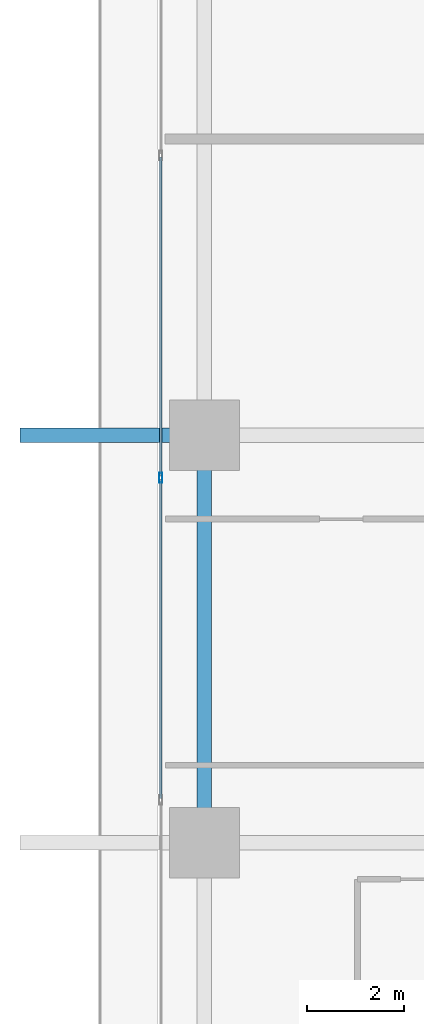
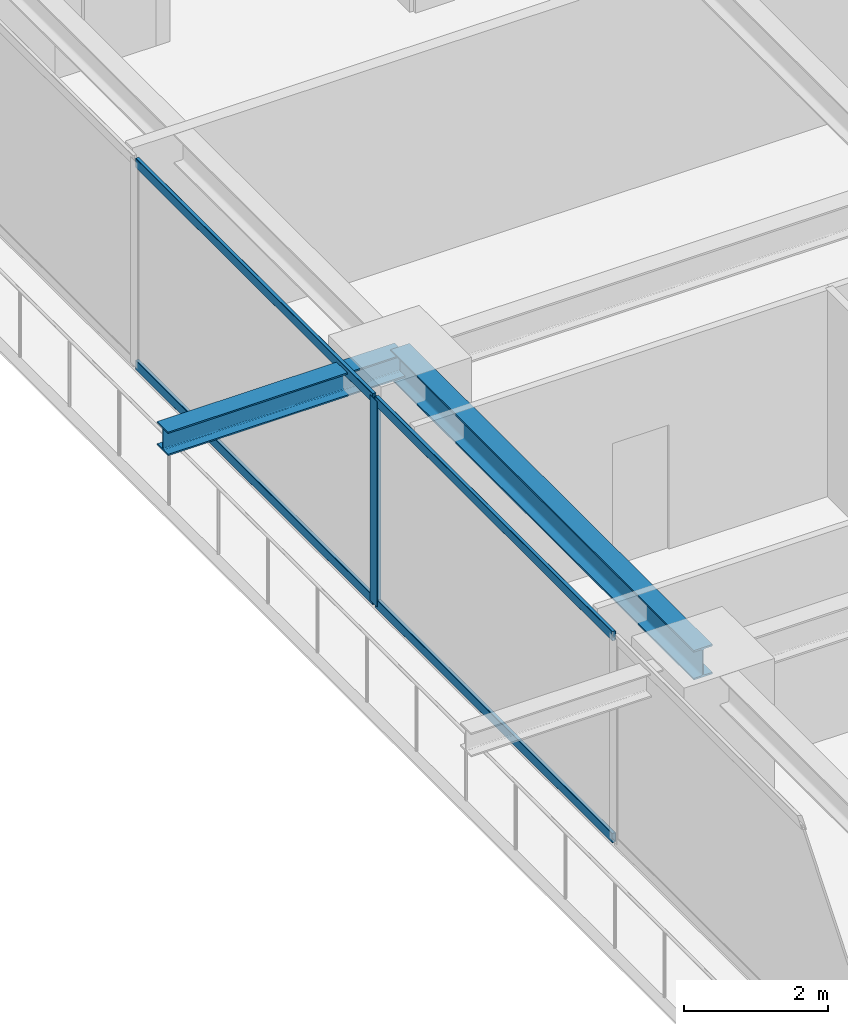
# One storey, part 8 of 39: 5 members, 2 beams, 1 element without a shape of its own.
"""IFC4 building model written with IfcOpenShell, lengths in metres."""

from ifc_helpers import new_model, si_unit, direction, frame, origin, origin_2d, place, context, subcontext, project, spatial, hollow_rectangle, i_section, extrude, source, transform, mapped, material, layer, layer_set, material_profile, profile_set, type_object, element, aggregate, save


model = new_model("IFC4")

# Units and contexts
model_context = context("Model", 3, precision=1e-05, world=origin(), true_north=direction((0.0, 1.0)))
body_context = subcontext(model_context, "Body", "Model", "MODEL_VIEW")
ifc_project = project(units=[si_unit("LENGTHUNIT", "METRE"), si_unit("AREAUNIT", "SQUARE_METRE"), si_unit("VOLUMEUNIT", "CUBIC_METRE"), si_unit("PLANEANGLEUNIT", "RADIAN"), si_unit("MASSUNIT", "GRAM", prefix="KILO")], contexts=[model_context])

# Site, building, storey
site_placement = place(None, origin())
site = spatial("IfcSite", under=ifc_project, at=site_placement, CompositionType="ELEMENT")
building_placement = place(site_placement, origin())
building = spatial("IfcBuilding", under=site, at=building_placement, Name="Serunith Strait Residences", CompositionType="ELEMENT")
storey_placement = place(building_placement, frame((0.0, 0.0, 97.949951171875)))
storey = spatial("IfcBuildingStorey", under=building, at=storey_placement, Name="L24", CompositionType="ELEMENT", Elevation=97.949951171875)

# Beams
ifc_material_1 = material(Name="Steel S355J2", Category="steel")
ifc_material_profile_1 = material_profile(ifc_material_1, i_section(OverallWidth=0.300048828125, OverallDepth=0.5, WebThickness=0.014404296875, FlangeThickness=0.028076171875, FilletRadius=0.027099609375, at=origin_2d()), Name="HEB 500")
ifc_profile_set_1 = profile_set([ifc_material_profile_1], Name="Steel S355J2")
beam_type_1 = type_object("IfcBeamType", Name="BM-HEB500", PredefinedType="BEAM", material=ifc_profile_set_1)
shared_shape_1 = source(origin(), body_context, "Body", "SweptSolid", [
    extrude(i_section(OverallWidth=0.300048828125, OverallDepth=0.5, WebThickness=0.014404296875, FlangeThickness=0.028076171875, FilletRadius=0.027099609375, at=origin_2d()), origin(), (0.0, 0.0, 1.0), 8.39990234375),
])
beam_1_placement = place(storey_placement, frame((6.89990234375, 29.39990234375, 3.237060546875), z_axis=(0.0, -1.0, 0.0), x_axis=(1.0, 0.0, 0.0)))
element("IfcBeam", 1, at=beam_1_placement, inside=storey, type_object=beam_type_1, Name="L24 Perimeter Ring Beam 14", PredefinedType="BEAM", context=body_context, shape_type="MappedRepresentation", body=[
    mapped(shared_shape_1, transform((0.0, 0.0, 0.0), scale=1.0)),
])
ifc_material_profile_2 = material_profile(ifc_material_1, i_section(OverallWidth=0.300048828125, OverallDepth=0.39990234375, WebThickness=0.013427734375, FlangeThickness=0.02392578125, FilletRadius=0.027099609375, at=origin_2d()), Name="HEB 400")
ifc_profile_set_2 = profile_set([ifc_material_profile_2], Name="Steel S355J2")
beam_type_2 = type_object("IfcBeamType", Name="BM-HEB400", PredefinedType="BEAM", material=ifc_profile_set_2)
shared_shape_2 = source(origin(), body_context, "Body", "SweptSolid", [
    extrude(i_section(OverallWidth=0.300048828125, OverallDepth=0.39990234375, WebThickness=0.013427734375, FlangeThickness=0.02392578125, FilletRadius=0.027099609375, at=origin_2d()), origin(), (0.0, 0.0, 1.0), 3.7998046875),
])
beam_2_placement = place(storey_placement, frame((6.89990234375, 29.39990234375, 3.257080078125), z_axis=(-1.0, 0.0, 0.0), x_axis=(0.0, -1.0, 0.0)))
element("IfcBeam", 2, at=beam_2_placement, inside=storey, type_object=beam_type_2, Name="L25 Cantilevered Balcony Rib TC-W3", PredefinedType="BEAM", context=body_context, shape_type="MappedRepresentation", body=[
    mapped(shared_shape_2, transform((0.0, 0.0, 0.0), scale=1.0)),
])

# Curtain wall, members
ifc_material_2 = material(Name="Pale-Champagne Anodised Aluminium", Category="aluminium")
ifc_layer = layer(ifc_material_2, 0.199951171875, Name="Pale-Champagne Anodised Aluminium")
ifc_layer_set = layer_set([ifc_layer], Name="Pale-Champagne Anodised Aluminium")
curtain_wall_type = type_object("IfcCurtainWallType", Name="CW-SYS1", PredefinedType="NOTDEFINED", material=ifc_layer_set)
curtain_wall_placement = place(storey_placement, origin())
curtain_wall = element("IfcCurtainWall", 3, at=curtain_wall_placement, inside=storey, type_object=curtain_wall_type, Name="L24 W Unitised Fritted Curtain Wall", PredefinedType="NOTDEFINED")
ifc_material_profile_3 = material_profile(ifc_material_2, hollow_rectangle(XDim=0.070068359375, YDim=0.199951171875, WallThickness=0.00390625, InnerFilletRadius=0.006103515625, OuterFilletRadius=0.010009765625, at=origin_2d()), Name="ALU 200x70x4")
ifc_profile_set_3 = profile_set([ifc_material_profile_3], Name="Pale-Champagne Anodised Aluminium")
member_type_1 = type_object("IfcMemberType", Name="CW-SYS1-MULL", PredefinedType="MULLION", material=ifc_profile_set_3)
shared_shape_3 = source(origin(), body_context, "Body", "SweptSolid", [
    extrude(hollow_rectangle(XDim=0.070068359375, YDim=0.199951171875, WallThickness=0.00390625, InnerFilletRadius=0.006103515625, OuterFilletRadius=0.010009765625, at=origin_2d()), origin(), (0.0, 0.0, 1.0), 3.47509765625),
])
member_1_placement = place(storey_placement, frame((6.0, 28.52001953125, 0.0), z_axis=(0.0, 0.0, 1.0), x_axis=(1.0, 0.0, 0.0)))
member_1 = element("IfcMember", 4, at=member_1_placement, type_object=member_type_1, Name="CW-1 mullion 3", PredefinedType="MULLION", context=body_context, shape_type="MappedRepresentation", body=[
    mapped(shared_shape_3, transform((0.0, 0.0, 0.0), scale=1.0)),
])
ifc_material_profile_4 = material_profile(ifc_material_2, hollow_rectangle(XDim=0.06005859375, YDim=0.159912109375, WallThickness=0.00341796875, InnerFilletRadius=0.00537109375, OuterFilletRadius=0.0087890625, at=origin_2d()), Name="ALU 160x60x3.5")
ifc_profile_set_4 = profile_set([ifc_material_profile_4], Name="Pale-Champagne Anodised Aluminium")
member_type_2 = type_object("IfcMemberType", Name="CW-SYS1-TRAN", PredefinedType="USERDEFINED", material=ifc_profile_set_4)
shared_shape_4 = source(origin(), body_context, "Body", "SweptSolid", [
    extrude(hollow_rectangle(XDim=0.06005859375, YDim=0.159912109375, WallThickness=0.00341796875, InnerFilletRadius=0.00537109375, OuterFilletRadius=0.0087890625, at=origin_2d()), origin(), (0.0, 0.0, 1.0), 6.570068359375),
])
member_2_placement = place(storey_placement, frame((6.0, 35.125, 0.030029296875), z_axis=(0.0, -1.0, 0.0), x_axis=(1.0, 0.0, 0.0)))
member_2 = element("IfcMember", 5, at=member_2_placement, type_object=member_type_2, Name="CW-1 transom 2.1", ObjectType="TRANSOM", PredefinedType="USERDEFINED", context=body_context, shape_type="MappedRepresentation", body=[
    mapped(shared_shape_4, transform((0.0, 0.0, 0.0), scale=1.0)),
])
member_3_placement = place(storey_placement, frame((6.0, 35.125, 3.445068359375), z_axis=(0.0, -1.0, 0.0), x_axis=(1.0, 0.0, 0.0)))
member_3 = element("IfcMember", 6, at=member_3_placement, type_object=member_type_2, Name="CW-1 transom 2.2", ObjectType="TRANSOM", PredefinedType="USERDEFINED", context=body_context, shape_type="MappedRepresentation", body=[
    mapped(shared_shape_4, transform((0.0, 0.0, 0.0), scale=1.0)),
])
member_4_placement = place(storey_placement, frame((6.0, 28.485107421875, 0.030029296875), z_axis=(0.0, -1.0, 0.0), x_axis=(1.0, 0.0, 0.0)))
member_4 = element("IfcMember", 7, at=member_4_placement, type_object=member_type_2, Name="CW-1 transom 3.1", ObjectType="TRANSOM", PredefinedType="USERDEFINED", context=body_context, shape_type="MappedRepresentation", body=[
    mapped(shared_shape_4, transform((0.0, 0.0, 0.0), scale=1.0)),
])
member_5_placement = place(storey_placement, frame((6.0, 28.485107421875, 3.445068359375), z_axis=(0.0, -1.0, 0.0), x_axis=(1.0, 0.0, 0.0)))
member_5 = element("IfcMember", 8, at=member_5_placement, type_object=member_type_2, Name="CW-1 transom 3.2", ObjectType="TRANSOM", PredefinedType="USERDEFINED", context=body_context, shape_type="MappedRepresentation", body=[
    mapped(shared_shape_4, transform((0.0, 0.0, 0.0), scale=1.0)),
])
aggregate(curtain_wall, [member_1, member_2, member_3, member_4, member_5])

save(model, "model.ifc")
